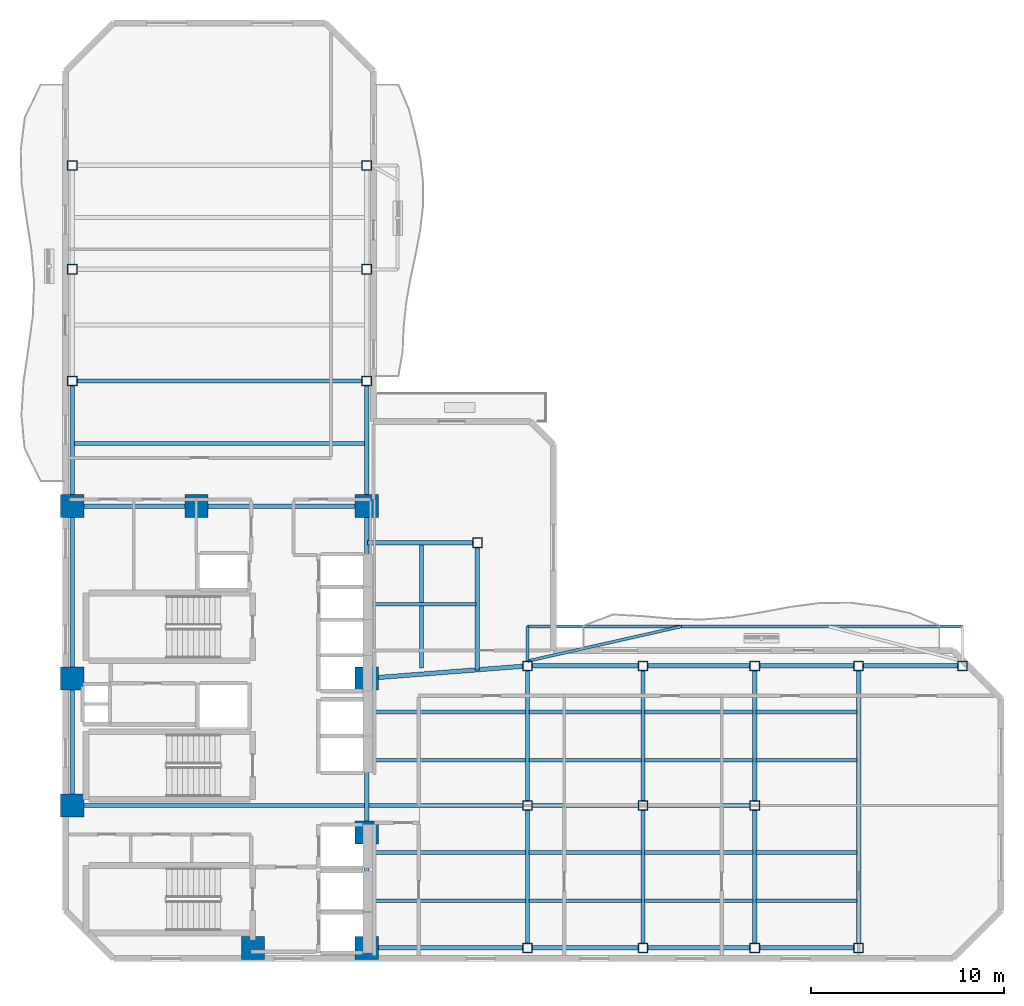
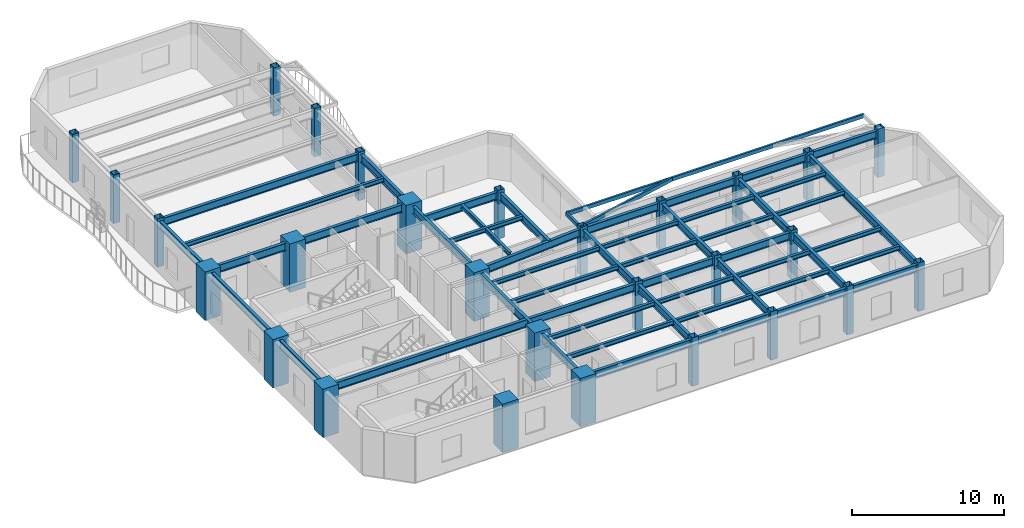
# One storey, part 1 of 10: 53 beams, 28 columns.
"""IFC4 building model written with IfcOpenShell, lengths in metres."""

import ifcopenshell
import ifcopenshell.guid

model = None  # the IFC model being written
_history = None  # IfcOwnerHistory: only IFC2X3 demands one
_inside = {}  # id of a spatial element -> (the spatial element, [elements in it])
_under = {}  # id of a project, library or spatial element -> (it, [spatial elements below it])
_declared = {}  # id of a project -> (the project, [libraries it declares])
_typed = {}  # id of a type object -> (the type object, [elements of that type])
_made_of = {}  # id of a material, layer set ... -> (it, [elements and type objects made of it])


def new_model(schema):
    """Start an empty IFC model of exactly this schema.

    Asked for "IFC4X3", IfcOpenShell would pick the latest addendum, in which some entities
    have other attributes; the version numbers below select the first issue.
    IFC2X3 requires an IfcOwnerHistory on every rooted entity: one is made here for all.
    """
    global model, _history
    if schema == "IFC4X3":
        model = ifcopenshell.file(schema_version=(4, 3, 0, 0))
    else:
        model = ifcopenshell.file(schema=schema)
    _inside.clear()
    _under.clear()
    _declared.clear()
    _typed.clear()
    _made_of.clear()
    _history = None
    if model.schema == "IFC2X3":
        org = make("IfcOrganization", Name="unknown")
        user = make(
            "IfcPersonAndOrganization",
            ThePerson=make("IfcPerson", FamilyName="unknown"),
            TheOrganization=org,
        )
        app = make(
            "IfcApplication",
            ApplicationDeveloper=org,
            Version="unknown",
            ApplicationFullName="unknown",
            ApplicationIdentifier="unknown",
        )
        _history = make(
            "IfcOwnerHistory",
            OwningUser=user,
            OwningApplication=app,
            ChangeAction="ADDED",
            CreationDate=0,
        )
    return model


def make(cls, **values):
    """One entity of the class cls with the attributes given. An attribute that is None is left unset."""
    return model.create_entity(
        cls, **{name: value for name, value in values.items() if value is not None}
    )


def rooted(cls, **values):
    """An entity with a GlobalId (a new one), such as an element, a storey or a relation."""
    return make(cls, GlobalId=ifcopenshell.guid.new(), OwnerHistory=_history, **values)


def si_unit(unit_type, name, prefix=None):
    """IfcSIUnit, for example si_unit("LENGTHUNIT", "METRE", prefix="MILLI")."""
    return make("IfcSIUnit", UnitType=unit_type, Prefix=prefix, Name=name)


def assignment(units):
    """IfcUnitAssignment: the units of a project."""
    return None if units is None else make("IfcUnitAssignment", Units=units)


def point(xyz):
    """IfcCartesianPoint."""
    return None if xyz is None else make("IfcCartesianPoint", Coordinates=xyz)


def direction(xyz):
    """IfcDirection."""
    return None if xyz is None else make("IfcDirection", DirectionRatios=xyz)


def frame(location, z_axis=None, x_axis=None):
    """IfcAxis2Placement3D, a coordinate frame: its origin and axes. An axis left out is left unset."""
    return make(
        "IfcAxis2Placement3D",
        Location=point(location),
        Axis=direction(z_axis),
        RefDirection=direction(x_axis),
    )


def frame_2d(location, x_axis=None):
    """IfcAxis2Placement2D, a coordinate frame in the plane: its origin and x axis."""
    return make(
        "IfcAxis2Placement2D", Location=point(location), RefDirection=direction(x_axis)
    )


def origin():
    """The frame at (0, 0, 0) with its axes left unset."""
    return frame((0.0, 0.0, 0.0))


def origin_2d():
    """The frame at (0, 0) in the plane with its x axis left unset."""
    return frame_2d((0.0, 0.0))


def place(relative_to, where):
    """IfcLocalPlacement: puts the frame where relative to a parent placement (None: the world)."""
    return make(
        "IfcLocalPlacement", PlacementRelTo=relative_to, RelativePlacement=where
    )


def context(
    kind, dimensions, precision=None, world=None, true_north=None, identifier=None
):
    """IfcGeometricRepresentationContext, for example the 3D "Model" context."""
    return make(
        "IfcGeometricRepresentationContext",
        ContextIdentifier=identifier,
        ContextType=kind,
        CoordinateSpaceDimension=dimensions,
        Precision=precision,
        WorldCoordinateSystem=world,
        TrueNorth=true_north,
    )


def subcontext(parent, identifier, kind, view, scale=None):
    """IfcGeometricRepresentationSubContext, for example "Body" below "Model"."""
    return make(
        "IfcGeometricRepresentationSubContext",
        ContextIdentifier=identifier,
        ContextType=kind,
        ParentContext=parent,
        TargetScale=scale,
        TargetView=view,
    )


def project(units=None, contexts=None):
    """IfcProject with its units and contexts."""
    return rooted(
        "IfcProject",
        Name="project",
        RepresentationContexts=contexts,
        UnitsInContext=assignment(units),
    )


def spatial(cls, under=None, at=None, **own):
    """A site, building, storey or space (cls), placed at a placement, below another one or the project."""
    s = rooted(cls, ObjectPlacement=at, **own)
    if under is not None:
        _under.setdefault(under.id(), (under, []))[1].append(s)
    return s


def profile(cls, at=None, kind="AREA", **sizes):
    """A parametric profile (cls). Its sizes go by their IFC names, for example OverallWidth=200.0."""
    return make(cls, ProfileType=kind, Position=at, **sizes)


def rectangle(**sizes):
    """IfcRectangleProfileDef."""
    return profile("IfcRectangleProfileDef", **sizes)


def hollow_rectangle(**sizes):
    """IfcRectangleHollowProfileDef."""
    return profile("IfcRectangleHollowProfileDef", **sizes)


def i_section(**sizes):
    """IfcIShapeProfileDef."""
    return profile("IfcIShapeProfileDef", **sizes)


def extrude(swept, where, along, depth):
    """IfcExtrudedAreaSolid: the profile swept, set in the frame where, extruded along a direction by depth."""
    return make(
        "IfcExtrudedAreaSolid",
        SweptArea=swept,
        Position=where,
        ExtrudedDirection=direction(along),
        Depth=depth,
    )


def shape(context_of_items, identifier, shape_type, items):
    """IfcShapeRepresentation: the items that make up one representation, for example the "Body"."""
    return make(
        "IfcShapeRepresentation",
        ContextOfItems=context_of_items,
        RepresentationIdentifier=identifier,
        RepresentationType=shape_type,
        Items=items,
    )


def material(Name=None, Category=None):
    """IfcMaterial."""
    return make("IfcMaterial", Name=Name, Category=Category)


def material_profile(
    of_material, cross_section, Name=None, Category=None, Priority=None
):
    """IfcMaterialProfile: a cross section and its material."""
    return make(
        "IfcMaterialProfile",
        Name=Name,
        Material=of_material,
        Profile=cross_section,
        Priority=Priority,
        Category=Category,
    )


def profile_set(profiles, Name=None, composite=None):
    """IfcMaterialProfileSet."""
    return make(
        "IfcMaterialProfileSet",
        Name=Name,
        MaterialProfiles=profiles,
        CompositeProfile=composite,
    )


def made_of(thing, what):
    """Note that an element or type object is made of a material, layer set ...; save() writes the relation."""
    if what is not None:
        _made_of.setdefault(what.id(), (what, []))[1].append(thing)
    return thing


def type_object(cls, material=None, **own):
    """A type object (cls), such as IfcWallType, which elements share."""
    return made_of(rooted(cls, **own), material)


def element(
    cls,
    number,
    at=None,
    inside=None,
    cuts=None,
    type_object=None,
    material=None,
    context=None,
    identifier="Body",
    shape_type=None,
    held_by="IfcProductDefinitionShape",
    body=None,
    shapes=None,
    **own,
):
    """One element of the class cls, such as IfcWall. Its Tag is "e" and its number.

    at: its placement. inside: the storey or other place that contains it. cuts: it is an
    opening in that element (IfcRelVoidsElement). A single representation is given by context,
    identifier, shape_type and body (its items); several are given by shapes. held_by: the class
    of the entity that holds the representations. save() writes the other relations.
    """
    e = rooted(cls, Tag="e%d" % number, ObjectPlacement=at, **own)
    if body is not None:
        shapes = [shape(context, identifier, shape_type, body)]
    if shapes is not None:
        e.Representation = make(held_by, Representations=shapes)
    if inside is not None:
        _inside.setdefault(inside.id(), (inside, []))[1].append(e)
    if cuts is not None:
        rooted(
            "IfcRelVoidsElement", RelatingBuildingElement=cuts, RelatedOpeningElement=e
        )
    if type_object is not None:
        _typed.setdefault(type_object.id(), (type_object, []))[1].append(e)
    return made_of(e, material)


def aggregate(whole, parts):
    """IfcRelAggregates: a whole, such as a stair, and the parts it consists of."""
    return rooted("IfcRelAggregates", RelatingObject=whole, RelatedObjects=parts)


def save(model, path):
    """Write the relations noted so far, then the file.

    IfcRelAggregates (storeys below a building ...), IfcRelContainedInSpatialStructure (elements
    in a storey), IfcRelDefinesByType, IfcRelAssociatesMaterial and IfcRelDeclares: one each for
    every whole, place, type object, material and project.
    """
    for whole, parts in _under.values():
        aggregate(whole, parts)
    for where, things in _inside.values():
        rooted(
            "IfcRelContainedInSpatialStructure",
            RelatedElements=things,
            RelatingStructure=where,
        )
    for kind, things in _typed.values():
        rooted("IfcRelDefinesByType", RelatedObjects=things, RelatingType=kind)
    for what, things in _made_of.values():
        rooted("IfcRelAssociatesMaterial", RelatedObjects=things, RelatingMaterial=what)
    for by, libraries in _declared.values():
        rooted("IfcRelDeclares", RelatingContext=by, RelatedDefinitions=libraries)
    model.write(path)


model = new_model("IFC4")

# Units and contexts
model_context = context("Model", 3, precision=1e-05, world=origin(), true_north=direction((0.0, 1.0)))
body_context = subcontext(model_context, "Body", "Model", "MODEL_VIEW")
ifc_project = project(units=[si_unit("LENGTHUNIT", "METRE"), si_unit("AREAUNIT", "SQUARE_METRE"), si_unit("VOLUMEUNIT", "CUBIC_METRE"), si_unit("PLANEANGLEUNIT", "RADIAN"), si_unit("MASSUNIT", "GRAM", prefix="KILO")], contexts=[model_context])

# Site, building, storey
site_placement = place(None, origin())
site = spatial("IfcSite", under=ifc_project, at=site_placement, CompositionType="ELEMENT")
building_placement = place(site_placement, origin())
building = spatial("IfcBuilding", under=site, at=building_placement, Name="Mawjaban Terraces University", CompositionType="ELEMENT")
storey_placement = place(building_placement, frame((0.0, 0.0, 122.89990234375)))
storey = spatial("IfcBuildingStorey", under=building, at=storey_placement, Name="L29", CompositionType="ELEMENT", Elevation=122.89990234375)

# Columns
ifc_material_1 = material(Name="Concrete C60/75", Category="concrete")
ifc_material_profile_1 = material_profile(ifc_material_1, rectangle(XDim=1.199951171875, YDim=1.199951171875, at=origin_2d()), Name="RC1200X1200")
ifc_profile_set_1 = profile_set([ifc_material_profile_1], Name="Concrete C60/75")
column_type_1 = type_object("IfcColumnType", Name="Col_RC1200X1200", PredefinedType="COLUMN", material=ifc_profile_set_1)
for number, where, z_axis, x_axis, name in (
    (1, (31.75, 0.550048828125, 0.0), (0.0, 0.0, 1.0), (1.0, 0.0, 0.0), "L29 Column CC2"),
    (2, (37.64990234375, 0.550048828125, 0.0), (0.0, 0.0, 1.0), (1.0, 0.0, 0.0), "L29 Column CC3"),
    (3, (22.35009765625, 7.949951171875, 0.0), (0.0, 0.0, 1.0), (1.0, 0.0, 0.0), "L29 Column CC4"),
    (4, (37.64990234375, 6.550048828125, 0.0), (0.0, 0.0, 1.0), (1.0, 0.0, 0.0), "L29 Column CC5"),
    (5, (22.35009765625, 14.550048828125, 0.0), (0.0, 0.0, 1.0), (1.0, 0.0, 0.0), "L29 Column CC6"),
    (6, (37.64990234375, 14.550048828125, 0.0), (0.0, 0.0, 1.0), (1.0, 0.0, 0.0), "L29 Column CC7"),
    (7, (22.35009765625, 23.5, 0.0), (0.0, 0.0, 1.0), (1.0, 0.0, 0.0), "L29 Column CC8"),
    (8, (28.800048828125, 23.5, 0.0), (0.0, 0.0, 1.0), (1.0, 0.0, 0.0), "L29 Column CC9"),
    (9, (37.64990234375, 23.5, 0.0), (0.0, 0.0, 1.0), (1.0, 0.0, 0.0), "L29 Column CC10"),
):
    element("IfcColumn", number, at=place(storey_placement, frame(where, z_axis=z_axis, x_axis=x_axis)), inside=storey, type_object=column_type_1, Name=name, PredefinedType="COLUMN", context=body_context, shape_type="SweptSolid", body=[
        extrude(rectangle(XDim=1.199951171875, YDim=1.199951171875, at=origin_2d()), origin(), (0.0, 0.0, 1.0), 3.900146484375),
    ])
ifc_material_2 = material(Name="Steel EN 10210-1 S355J2H", Category="steel")
ifc_material_profile_2 = material_profile(ifc_material_2, hollow_rectangle(XDim=0.5, YDim=0.5, WallThickness=0.02490234375, at=origin_2d()), Name="SHS500X500X25")
ifc_profile_set_2 = profile_set([ifc_material_profile_2], Name="Steel EN 10210-1 S355J2H")
column_type_2 = type_object("IfcColumnType", Name="Col_SHS500X500X25", PredefinedType="COLUMN", material=ifc_profile_set_2)
for number, where, z_axis, x_axis, name in (
    (10, (46.0, 0.550048828125, 0.0), (0.0, 0.0, 1.0), (1.0, 0.0, 0.0), "L29 Column TE-460-005"),
    (11, (46.0, 7.949951171875, 0.0), (0.0, 0.0, 1.0), (1.0, 0.0, 0.0), "L29 Column TE-460-080"),
    (12, (46.0, 15.199951171875, 0.0), (0.0, 0.0, 1.0), (1.0, 0.0, 0.0), "L29 Column TE-460-152"),
    (13, (52.0, 0.550048828125, 0.0), (0.0, 0.0, 1.0), (1.0, 0.0, 0.0), "L29 Column TE-520-005"),
    (14, (52.0, 7.949951171875, 0.0), (0.0, 0.0, 1.0), (1.0, 0.0, 0.0), "L29 Column TE-520-080"),
    (15, (52.0, 15.199951171875, 0.0), (0.0, 0.0, 1.0), (1.0, 0.0, 0.0), "L29 Column TE-520-152"),
    (16, (57.800048828125, 0.550048828125, 0.0), (0.0, 0.0, 1.0), (1.0, 0.0, 0.0), "L29 Column TE-578-005"),
    (17, (57.800048828125, 7.949951171875, 0.0), (0.0, 0.0, 1.0), (1.0, 0.0, 0.0), "L29 Column TE-578-080"),
    (18, (57.800048828125, 15.199951171875, 0.0), (0.0, 0.0, 1.0), (1.0, 0.0, 0.0), "L29 Column TE-578-152"),
    (19, (63.199951171875, 0.550048828125, 0.0), (0.0, 0.0, 1.0), (1.0, 0.0, 0.0), "L29 Column TE-632-005"),
    (20, (63.199951171875, 15.199951171875, 0.0), (0.0, 0.0, 1.0), (1.0, 0.0, 0.0), "L29 Column TE-632-152"),
    (21, (68.60009765625, 15.199951171875, 0.0), (0.0, 0.0, 1.0), (1.0, 0.0, 0.0), "L29 Column TE-686-152"),
    (22, (22.35009765625, 30.0, 0.0), (0.0, 0.0, 1.0), (1.0, 0.0, 0.0), "L29 Column TN-223-300"),
    (23, (37.64990234375, 30.0, 0.0), (0.0, 0.0, 1.0), (1.0, 0.0, 0.0), "L29 Column TN-376-300"),
    (24, (22.35009765625, 35.800048828125, 0.0), (0.0, 0.0, 1.0), (1.0, 0.0, 0.0), "L29 Column TN-223-358"),
    (25, (37.64990234375, 35.800048828125, 0.0), (0.0, 0.0, 1.0), (1.0, 0.0, 0.0), "L29 Column TN-376-358"),
    (26, (22.35009765625, 41.199951171875, 0.0), (0.0, 0.0, 1.0), (1.0, 0.0, 0.0), "L29 Column TN-223-412"),
    (27, (37.64990234375, 41.199951171875, 0.0), (0.0, 0.0, 1.0), (1.0, 0.0, 0.0), "L29 Column TN-376-412"),
    (28, (43.39990234375, 21.60009765625, 0.0), (0.0, 0.0, 1.0), (1.0, 0.0, 0.0), "L29 Column TS-434-216"),
):
    element("IfcColumn", number, at=place(storey_placement, frame(where, z_axis=z_axis, x_axis=x_axis)), inside=storey, type_object=column_type_2, Name=name, PredefinedType="COLUMN", context=body_context, shape_type="SweptSolid", body=[
        extrude(hollow_rectangle(XDim=0.5, YDim=0.5, WallThickness=0.02490234375, at=origin_2d()), origin(), (0.0, 0.0, 1.0), 3.900146484375),
    ])

# Beams
ifc_material_profile_3 = material_profile(ifc_material_2, hollow_rectangle(XDim=0.14990234375, YDim=0.300048828125, WallThickness=0.012451171875, at=origin_2d()), Name="RHS300X150X12.5")
ifc_profile_set_3 = profile_set([ifc_material_profile_3], Name="Steel EN 10210-1 S355J2H")
beam_type_1 = type_object("IfcBeamType", Name="BalconyCantileverSpandrel_RHS", PredefinedType="SPANDREL", material=ifc_profile_set_3)
beam_1_placement = place(storey_placement, frame((46.0, 15.449951171875, 3.5400390625), z_axis=(0.0, 1.0, 0.0), x_axis=(-1.0, 0.0, 0.0)))
element("IfcBeam", 29, at=beam_1_placement, inside=storey, type_object=beam_type_1, Name="L29 Exterior Outrigger BAL-L30-N.1", PredefinedType="SPANDREL", context=body_context, shape_type="SweptSolid", body=[
    extrude(hollow_rectangle(XDim=0.14990234375, YDim=0.300048828125, WallThickness=0.012451171875, at=origin_2d()), origin(), (0.0, 0.0, 1.0), 1.800048828125),
])
beam_2_placement = place(storey_placement, frame((46.0, 17.25, 3.5400390625), z_axis=(1.0, 0.0, 0.0), x_axis=(0.0, 1.0, 0.0)))
element("IfcBeam", 30, at=beam_2_placement, inside=storey, type_object=beam_type_1, Name="L29 Exterior Edge Spandrel BAL-L30-N", PredefinedType="SPANDREL", context=body_context, shape_type="SweptSolid", body=[
    extrude(hollow_rectangle(XDim=0.14990234375, YDim=0.300048828125, WallThickness=0.012451171875, at=origin_2d()), origin(), (0.0, 0.0, 1.0), 22.60009765625),
])
beam_3_placement = place(storey_placement, frame((46.0, 15.449951171875, 3.5400390625), z_axis=(0.975585509407, 0.219619930412, 0.0), x_axis=(-0.219619930412, 0.975585509407, 0.0)))
element("IfcBeam", 31, at=beam_3_placement, inside=storey, type_object=beam_type_1, Name="L29 Exterior Diagonal Strut BAL-L30-N.1", PredefinedType="SPANDREL", context=body_context, shape_type="SweptSolid", body=[
    extrude(hollow_rectangle(XDim=0.14990234375, YDim=0.300048828125, WallThickness=0.012451171875, at=origin_2d()), origin(), (0.0, 0.0, 1.0), 8.1962890625),
])
ifc_material_3 = material(Name="Steel ASTM A572 Grade 50", Category="steel")
ifc_material_profile_4 = material_profile(ifc_material_3, i_section(OverallWidth=0.22998046875, OverallDepth=0.616943359375, WebThickness=0.01318359375, FlangeThickness=0.022216796875, at=origin_2d()), Name="W610X140")
ifc_profile_set_4 = profile_set([ifc_material_profile_4], Name="Steel ASTM A572 Grade 50")
beam_type_2 = type_object("IfcBeamType", Name="Beam_B_W610X140", PredefinedType="BEAM", material=ifc_profile_set_4)
beam_4_placement = place(storey_placement, frame((38.25, 0.550048828125, 3.382080078125), z_axis=(1.0, 0.0, 0.0), x_axis=(0.0, 1.0, 0.0)))
element("IfcBeam", 32, at=beam_4_placement, inside=storey, type_object=beam_type_2, Name="L29 Beam BM-L29-EW-01", PredefinedType="BEAM", context=body_context, shape_type="SweptSolid", body=[
    extrude(i_section(OverallWidth=0.22998046875, OverallDepth=0.616943359375, WebThickness=0.01318359375, FlangeThickness=0.022216796875, at=origin_2d()), origin(), (0.0, 0.0, 1.0), 7.5),
])
beam_5_placement = place(storey_placement, frame((46.25, 0.550048828125, 3.382080078125), z_axis=(1.0, 0.0, 0.0), x_axis=(0.0, 1.0, 0.0)))
element("IfcBeam", 33, at=beam_5_placement, inside=storey, type_object=beam_type_2, Name="L29 Beam BM-L29-EW-02", PredefinedType="BEAM", context=body_context, shape_type="SweptSolid", body=[
    extrude(i_section(OverallWidth=0.22998046875, OverallDepth=0.616943359375, WebThickness=0.01318359375, FlangeThickness=0.022216796875, at=origin_2d()), origin(), (0.0, 0.0, 1.0), 5.5),
])
beam_6_placement = place(storey_placement, frame((52.25, 0.550048828125, 3.382080078125), z_axis=(1.0, 0.0, 0.0), x_axis=(0.0, 1.0, 0.0)))
element("IfcBeam", 34, at=beam_6_placement, inside=storey, type_object=beam_type_2, Name="L29 Beam BM-L29-EW-03", PredefinedType="BEAM", context=body_context, shape_type="SweptSolid", body=[
    extrude(i_section(OverallWidth=0.22998046875, OverallDepth=0.616943359375, WebThickness=0.01318359375, FlangeThickness=0.022216796875, at=origin_2d()), origin(), (0.0, 0.0, 1.0), 5.300048828125),
])
beam_7_placement = place(storey_placement, frame((58.050048828125, 0.550048828125, 3.382080078125), z_axis=(1.0, 0.0, 0.0), x_axis=(0.0, 1.0, 0.0)))
element("IfcBeam", 35, at=beam_7_placement, inside=storey, type_object=beam_type_2, Name="L29 Beam BM-L29-EW-04", PredefinedType="BEAM", context=body_context, shape_type="SweptSolid", body=[
    extrude(i_section(OverallWidth=0.22998046875, OverallDepth=0.616943359375, WebThickness=0.01318359375, FlangeThickness=0.022216796875, at=origin_2d()), origin(), (0.0, 0.0, 1.0), 4.89990234375),
])
beam_8_placement = place(storey_placement, frame((22.949951171875, 7.949951171875, 3.382080078125), z_axis=(1.0, 0.0, 0.0), x_axis=(0.0, 1.0, 0.0)))
element("IfcBeam", 36, at=beam_8_placement, inside=storey, type_object=beam_type_2, Name="L29 Beam BM-L29-EW-05", PredefinedType="BEAM", context=body_context, shape_type="SweptSolid", body=[
    extrude(i_section(OverallWidth=0.22998046875, OverallDepth=0.616943359375, WebThickness=0.01318359375, FlangeThickness=0.022216796875, at=origin_2d()), origin(), (0.0, 0.0, 1.0), 22.800048828125),
])
beam_9_placement = place(storey_placement, frame((46.25, 7.949951171875, 3.382080078125), z_axis=(1.0, 0.0, 0.0), x_axis=(0.0, 1.0, 0.0)))
element("IfcBeam", 37, at=beam_9_placement, inside=storey, type_object=beam_type_2, Name="L29 Beam BM-L29-EW-06", PredefinedType="BEAM", context=body_context, shape_type="SweptSolid", body=[
    extrude(i_section(OverallWidth=0.22998046875, OverallDepth=0.616943359375, WebThickness=0.01318359375, FlangeThickness=0.022216796875, at=origin_2d()), origin(), (0.0, 0.0, 1.0), 5.5),
])
beam_10_placement = place(storey_placement, frame((52.25, 7.949951171875, 3.382080078125), z_axis=(1.0, 0.0, 0.0), x_axis=(0.0, 1.0, 0.0)))
element("IfcBeam", 38, at=beam_10_placement, inside=storey, type_object=beam_type_2, Name="L29 Beam BM-L29-EW-07", PredefinedType="BEAM", context=body_context, shape_type="SweptSolid", body=[
    extrude(i_section(OverallWidth=0.22998046875, OverallDepth=0.616943359375, WebThickness=0.01318359375, FlangeThickness=0.022216796875, at=origin_2d()), origin(), (0.0, 0.0, 1.0), 5.300048828125),
])
beam_11_placement = place(storey_placement, frame((46.25, 15.199951171875, 3.382080078125), z_axis=(1.0, 0.0, 0.0), x_axis=(0.0, 1.0, 0.0)))
element("IfcBeam", 39, at=beam_11_placement, inside=storey, type_object=beam_type_2, Name="L29 Beam BM-L29-EW-08", PredefinedType="BEAM", context=body_context, shape_type="SweptSolid", body=[
    extrude(i_section(OverallWidth=0.22998046875, OverallDepth=0.616943359375, WebThickness=0.01318359375, FlangeThickness=0.022216796875, at=origin_2d()), origin(), (0.0, 0.0, 1.0), 5.5),
])
beam_12_placement = place(storey_placement, frame((52.25, 15.199951171875, 3.382080078125), z_axis=(1.0, 0.0, 0.0), x_axis=(0.0, 1.0, 0.0)))
element("IfcBeam", 40, at=beam_12_placement, inside=storey, type_object=beam_type_2, Name="L29 Beam BM-L29-EW-09", PredefinedType="BEAM", context=body_context, shape_type="SweptSolid", body=[
    extrude(i_section(OverallWidth=0.22998046875, OverallDepth=0.616943359375, WebThickness=0.01318359375, FlangeThickness=0.022216796875, at=origin_2d()), origin(), (0.0, 0.0, 1.0), 5.300048828125),
])
beam_13_placement = place(storey_placement, frame((58.050048828125, 15.199951171875, 3.382080078125), z_axis=(1.0, 0.0, 0.0), x_axis=(0.0, 1.0, 0.0)))
element("IfcBeam", 41, at=beam_13_placement, inside=storey, type_object=beam_type_2, Name="L29 Beam BM-L29-EW-10", PredefinedType="BEAM", context=body_context, shape_type="SweptSolid", body=[
    extrude(i_section(OverallWidth=0.22998046875, OverallDepth=0.616943359375, WebThickness=0.01318359375, FlangeThickness=0.022216796875, at=origin_2d()), origin(), (0.0, 0.0, 1.0), 4.89990234375),
])
beam_14_placement = place(storey_placement, frame((63.449951171875, 15.199951171875, 3.382080078125), z_axis=(1.0, 0.0, 0.0), x_axis=(0.0, 1.0, 0.0)))
element("IfcBeam", 42, at=beam_14_placement, inside=storey, type_object=beam_type_2, Name="L29 Beam BM-L29-EW-11", PredefinedType="BEAM", context=body_context, shape_type="SweptSolid", body=[
    extrude(i_section(OverallWidth=0.22998046875, OverallDepth=0.616943359375, WebThickness=0.01318359375, FlangeThickness=0.022216796875, at=origin_2d()), origin(), (0.0, 0.0, 1.0), 4.900146484375),
])
beam_15_placement = place(storey_placement, frame((22.949951171875, 23.5, 3.382080078125), z_axis=(1.0, 0.0, 0.0), x_axis=(0.0, 1.0, 0.0)))
element("IfcBeam", 43, at=beam_15_placement, inside=storey, type_object=beam_type_2, Name="L29 Beam BM-L29-EW-12", PredefinedType="BEAM", context=body_context, shape_type="SweptSolid", body=[
    extrude(i_section(OverallWidth=0.22998046875, OverallDepth=0.616943359375, WebThickness=0.01318359375, FlangeThickness=0.022216796875, at=origin_2d()), origin(), (0.0, 0.0, 1.0), 5.25),
])
beam_16_placement = place(storey_placement, frame((29.39990234375, 23.5, 3.382080078125), z_axis=(1.0, 0.0, 0.0), x_axis=(0.0, 1.0, 0.0)))
element("IfcBeam", 44, at=beam_16_placement, inside=storey, type_object=beam_type_2, Name="L29 Beam BM-L29-EW-13", PredefinedType="BEAM", context=body_context, shape_type="SweptSolid", body=[
    extrude(i_section(OverallWidth=0.22998046875, OverallDepth=0.616943359375, WebThickness=0.01318359375, FlangeThickness=0.022216796875, at=origin_2d()), origin(), (0.0, 0.0, 1.0), 7.650146484375),
])
beam_17_placement = place(storey_placement, frame((22.60009765625, 30.0, 3.382080078125), z_axis=(1.0, 0.0, 0.0), x_axis=(0.0, 1.0, 0.0)))
element("IfcBeam", 45, at=beam_17_placement, inside=storey, type_object=beam_type_2, Name="L29 Beam BM-L29-EW-14", PredefinedType="BEAM", context=body_context, shape_type="SweptSolid", body=[
    extrude(i_section(OverallWidth=0.22998046875, OverallDepth=0.616943359375, WebThickness=0.01318359375, FlangeThickness=0.022216796875, at=origin_2d()), origin(), (0.0, 0.0, 1.0), 14.7998046875),
])
beam_18_placement = place(storey_placement, frame((22.35009765625, 8.550048828125, 3.382080078125), z_axis=(0.0, 1.0, 0.0), x_axis=(-1.0, 0.0, 0.0)))
element("IfcBeam", 46, at=beam_18_placement, inside=storey, type_object=beam_type_2, Name="L29 Beam BM-L29-NS-01", PredefinedType="BEAM", context=body_context, shape_type="SweptSolid", body=[
    extrude(i_section(OverallWidth=0.22998046875, OverallDepth=0.616943359375, WebThickness=0.01318359375, FlangeThickness=0.022216796875, at=origin_2d()), origin(), (0.0, 0.0, 1.0), 5.39990234375),
])
beam_19_placement = place(storey_placement, frame((22.35009765625, 15.14990234375, 3.382080078125), z_axis=(0.0, 1.0, 0.0), x_axis=(-1.0, 0.0, 0.0)))
element("IfcBeam", 47, at=beam_19_placement, inside=storey, type_object=beam_type_2, Name="L29 Beam BM-L29-NS-02", PredefinedType="BEAM", context=body_context, shape_type="SweptSolid", body=[
    extrude(i_section(OverallWidth=0.22998046875, OverallDepth=0.616943359375, WebThickness=0.01318359375, FlangeThickness=0.022216796875, at=origin_2d()), origin(), (0.0, 0.0, 1.0), 7.75),
])
beam_20_placement = place(storey_placement, frame((22.35009765625, 24.10009765625, 3.382080078125), z_axis=(0.0, 1.0, 0.0), x_axis=(-1.0, 0.0, 0.0)))
element("IfcBeam", 48, at=beam_20_placement, inside=storey, type_object=beam_type_2, Name="L29 Beam BM-L29-NS-03", PredefinedType="BEAM", context=body_context, shape_type="SweptSolid", body=[
    extrude(i_section(OverallWidth=0.22998046875, OverallDepth=0.616943359375, WebThickness=0.01318359375, FlangeThickness=0.022216796875, at=origin_2d()), origin(), (0.0, 0.0, 1.0), 5.64990234375),
])
beam_21_placement = place(storey_placement, frame((37.64990234375, 1.14990234375, 3.382080078125), z_axis=(0.0, 1.0, 0.0), x_axis=(-1.0, 0.0, 0.0)))
element("IfcBeam", 49, at=beam_21_placement, inside=storey, type_object=beam_type_2, Name="L29 Beam BM-L29-NS-06", PredefinedType="BEAM", context=body_context, shape_type="SweptSolid", body=[
    extrude(i_section(OverallWidth=0.22998046875, OverallDepth=0.616943359375, WebThickness=0.01318359375, FlangeThickness=0.022216796875, at=origin_2d()), origin(), (0.0, 0.0, 1.0), 4.800048828125),
])
beam_22_placement = place(storey_placement, frame((37.64990234375, 7.14990234375, 3.382080078125), z_axis=(0.0, 1.0, 0.0), x_axis=(-1.0, 0.0, 0.0)))
element("IfcBeam", 50, at=beam_22_placement, inside=storey, type_object=beam_type_2, Name="L29 Beam BM-L29-NS-07", PredefinedType="BEAM", context=body_context, shape_type="SweptSolid", body=[
    extrude(i_section(OverallWidth=0.22998046875, OverallDepth=0.616943359375, WebThickness=0.01318359375, FlangeThickness=0.022216796875, at=origin_2d()), origin(), (0.0, 0.0, 1.0), 6.800048828125),
])
beam_23_placement = place(storey_placement, frame((37.64990234375, 15.14990234375, 3.382080078125), z_axis=(0.0, 1.0, 0.0), x_axis=(-1.0, 0.0, 0.0)))
element("IfcBeam", 51, at=beam_23_placement, inside=storey, type_object=beam_type_2, Name="L29 Beam BM-L29-NS-08", PredefinedType="BEAM", context=body_context, shape_type="SweptSolid", body=[
    extrude(i_section(OverallWidth=0.22998046875, OverallDepth=0.616943359375, WebThickness=0.01318359375, FlangeThickness=0.022216796875, at=origin_2d()), origin(), (0.0, 0.0, 1.0), 7.75),
])
beam_24_placement = place(storey_placement, frame((37.64990234375, 24.10009765625, 3.382080078125), z_axis=(0.0, 1.0, 0.0), x_axis=(-1.0, 0.0, 0.0)))
element("IfcBeam", 52, at=beam_24_placement, inside=storey, type_object=beam_type_2, Name="L29 Beam BM-L29-NS-09", PredefinedType="BEAM", context=body_context, shape_type="SweptSolid", body=[
    extrude(i_section(OverallWidth=0.22998046875, OverallDepth=0.616943359375, WebThickness=0.01318359375, FlangeThickness=0.022216796875, at=origin_2d()), origin(), (0.0, 0.0, 1.0), 5.64990234375),
])
beam_25_placement = place(storey_placement, frame((46.0, 0.800048828125, 3.382080078125), z_axis=(0.0, 1.0, 0.0), x_axis=(-1.0, 0.0, 0.0)))
element("IfcBeam", 53, at=beam_25_placement, inside=storey, type_object=beam_type_2, Name="L29 Beam BM-L29-NS-12", PredefinedType="BEAM", context=body_context, shape_type="SweptSolid", body=[
    extrude(i_section(OverallWidth=0.22998046875, OverallDepth=0.616943359375, WebThickness=0.01318359375, FlangeThickness=0.022216796875, at=origin_2d()), origin(), (0.0, 0.0, 1.0), 6.89990234375),
])
beam_26_placement = place(storey_placement, frame((46.0, 8.199951171875, 3.382080078125), z_axis=(0.0, 1.0, 0.0), x_axis=(-1.0, 0.0, 0.0)))
element("IfcBeam", 54, at=beam_26_placement, inside=storey, type_object=beam_type_2, Name="L29 Beam BM-L29-NS-13", PredefinedType="BEAM", context=body_context, shape_type="SweptSolid", body=[
    extrude(i_section(OverallWidth=0.22998046875, OverallDepth=0.616943359375, WebThickness=0.01318359375, FlangeThickness=0.022216796875, at=origin_2d()), origin(), (0.0, 0.0, 1.0), 6.75),
])
beam_27_placement = place(storey_placement, frame((52.0, 0.800048828125, 3.382080078125), z_axis=(0.0, 1.0, 0.0), x_axis=(-1.0, 0.0, 0.0)))
element("IfcBeam", 55, at=beam_27_placement, inside=storey, type_object=beam_type_2, Name="L29 Beam BM-L29-NS-14", PredefinedType="BEAM", context=body_context, shape_type="SweptSolid", body=[
    extrude(i_section(OverallWidth=0.22998046875, OverallDepth=0.616943359375, WebThickness=0.01318359375, FlangeThickness=0.022216796875, at=origin_2d()), origin(), (0.0, 0.0, 1.0), 6.89990234375),
])
beam_28_placement = place(storey_placement, frame((52.0, 8.199951171875, 3.382080078125), z_axis=(0.0, 1.0, 0.0), x_axis=(-1.0, 0.0, 0.0)))
element("IfcBeam", 56, at=beam_28_placement, inside=storey, type_object=beam_type_2, Name="L29 Beam BM-L29-NS-15", PredefinedType="BEAM", context=body_context, shape_type="SweptSolid", body=[
    extrude(i_section(OverallWidth=0.22998046875, OverallDepth=0.616943359375, WebThickness=0.01318359375, FlangeThickness=0.022216796875, at=origin_2d()), origin(), (0.0, 0.0, 1.0), 6.75),
])
beam_29_placement = place(storey_placement, frame((57.800048828125, 0.800048828125, 3.382080078125), z_axis=(0.0, 1.0, 0.0), x_axis=(-1.0, 0.0, 0.0)))
element("IfcBeam", 57, at=beam_29_placement, inside=storey, type_object=beam_type_2, Name="L29 Beam BM-L29-NS-16", PredefinedType="BEAM", context=body_context, shape_type="SweptSolid", body=[
    extrude(i_section(OverallWidth=0.22998046875, OverallDepth=0.616943359375, WebThickness=0.01318359375, FlangeThickness=0.022216796875, at=origin_2d()), origin(), (0.0, 0.0, 1.0), 6.89990234375),
])
beam_30_placement = place(storey_placement, frame((57.800048828125, 8.199951171875, 3.382080078125), z_axis=(0.0, 1.0, 0.0), x_axis=(-1.0, 0.0, 0.0)))
element("IfcBeam", 58, at=beam_30_placement, inside=storey, type_object=beam_type_2, Name="L29 Beam BM-L29-NS-17", PredefinedType="BEAM", context=body_context, shape_type="SweptSolid", body=[
    extrude(i_section(OverallWidth=0.22998046875, OverallDepth=0.616943359375, WebThickness=0.01318359375, FlangeThickness=0.022216796875, at=origin_2d()), origin(), (0.0, 0.0, 1.0), 6.75),
])
beam_31_placement = place(storey_placement, frame((63.199951171875, 0.800048828125, 3.382080078125), z_axis=(0.0, 1.0, 0.0), x_axis=(-1.0, 0.0, 0.0)))
element("IfcBeam", 59, at=beam_31_placement, inside=storey, type_object=beam_type_2, Name="L29 Beam BM-L29-NS-18", PredefinedType="BEAM", context=body_context, shape_type="SweptSolid", body=[
    extrude(i_section(OverallWidth=0.22998046875, OverallDepth=0.616943359375, WebThickness=0.01318359375, FlangeThickness=0.022216796875, at=origin_2d()), origin(), (0.0, 0.0, 1.0), 14.14990234375),
])
beam_32_placement = place(storey_placement, frame((38.248046875, 14.596923828125, 3.382080078125), z_axis=(0.996984614132, 0.077599479273, 0.0), x_axis=(-0.077599479273, 0.996984614132, 0.0)))
element("IfcBeam", 60, at=beam_32_placement, inside=storey, type_object=beam_type_2, Name="L29 Beam BM-L29-CTIE", PredefinedType="BEAM", context=body_context, shape_type="SweptSolid", body=[
    extrude(i_section(OverallWidth=0.22998046875, OverallDepth=0.616943359375, WebThickness=0.01318359375, FlangeThickness=0.022216796875, at=origin_2d()), origin(), (0.0, 0.0, 1.0), 7.525634765625),
])
beam_33_placement = place(storey_placement, frame((37.679931640625, 21.60009765625, 3.382080078125), z_axis=(1.0, 0.0, 0.0), x_axis=(0.0, 1.0, 0.0)))
element("IfcBeam", 61, at=beam_33_placement, inside=storey, type_object=beam_type_2, Name="L29 Spur Tie Girder West", PredefinedType="BEAM", context=body_context, shape_type="SweptSolid", body=[
    extrude(i_section(OverallWidth=0.22998046875, OverallDepth=0.616943359375, WebThickness=0.01318359375, FlangeThickness=0.022216796875, at=origin_2d()), origin(), (0.0, 0.0, 1.0), 5.469970703125),
])
beam_34_placement = place(storey_placement, frame((43.39990234375, 15.0, 3.382080078125), z_axis=(0.0, 1.0, 0.0), x_axis=(-1.0, 0.0, 0.0)))
element("IfcBeam", 62, at=beam_34_placement, inside=storey, type_object=beam_type_2, Name="L29 Spur Tie Girder South", PredefinedType="BEAM", context=body_context, shape_type="SweptSolid", body=[
    extrude(i_section(OverallWidth=0.22998046875, OverallDepth=0.616943359375, WebThickness=0.01318359375, FlangeThickness=0.022216796875, at=origin_2d()), origin(), (0.0, 0.0, 1.0), 6.35009765625),
])
ifc_material_profile_5 = material_profile(ifc_material_3, i_section(OverallWidth=0.202880859375, OverallDepth=0.346923828125, WebThickness=0.0078125, FlangeThickness=0.013427734375, at=origin_2d()), Name="W360X64")
ifc_profile_set_5 = profile_set([ifc_material_profile_5], Name="Steel ASTM A572 Grade 50")
beam_type_3 = type_object("IfcBeamType", Name="Beam_J_W360X64", PredefinedType="JOIST", material=ifc_profile_set_5)
beam_35_placement = place(storey_placement, frame((37.72998046875, 3.0, 3.51611328125), z_axis=(1.0, 0.0, 0.0), x_axis=(0.0, 1.0, 0.0)))
element("IfcBeam", 63, at=beam_35_placement, inside=storey, type_object=beam_type_3, Name="L29 Composite Joist JST-L29-01", PredefinedType="JOIST", context=body_context, shape_type="SweptSolid", body=[
    extrude(i_section(OverallWidth=0.202880859375, OverallDepth=0.346923828125, WebThickness=0.0078125, FlangeThickness=0.013427734375, at=origin_2d()), origin(), (0.0, 0.0, 1.0), 8.18994140625),
])
beam_36_placement = place(storey_placement, frame((46.080078125, 3.0, 3.51611328125), z_axis=(1.0, 0.0, 0.0), x_axis=(0.0, 1.0, 0.0)))
element("IfcBeam", 64, at=beam_36_placement, inside=storey, type_object=beam_type_3, Name="L29 Composite Joist JST-L29-02", PredefinedType="JOIST", context=body_context, shape_type="SweptSolid", body=[
    extrude(i_section(OverallWidth=0.202880859375, OverallDepth=0.346923828125, WebThickness=0.0078125, FlangeThickness=0.013427734375, at=origin_2d()), origin(), (0.0, 0.0, 1.0), 5.83984375),
])
beam_37_placement = place(storey_placement, frame((52.080078125, 3.0, 3.51611328125), z_axis=(1.0, 0.0, 0.0), x_axis=(0.0, 1.0, 0.0)))
element("IfcBeam", 65, at=beam_37_placement, inside=storey, type_object=beam_type_3, Name="L29 Composite Joist JST-L29-03", PredefinedType="JOIST", context=body_context, shape_type="SweptSolid", body=[
    extrude(i_section(OverallWidth=0.202880859375, OverallDepth=0.346923828125, WebThickness=0.0078125, FlangeThickness=0.013427734375, at=origin_2d()), origin(), (0.0, 0.0, 1.0), 5.639892578125),
])
beam_38_placement = place(storey_placement, frame((57.8798828125, 3.0, 3.51611328125), z_axis=(1.0, 0.0, 0.0), x_axis=(0.0, 1.0, 0.0)))
element("IfcBeam", 66, at=beam_38_placement, inside=storey, type_object=beam_type_3, Name="L29 Composite Joist JST-L29-04", PredefinedType="JOIST", context=body_context, shape_type="SweptSolid", body=[
    extrude(i_section(OverallWidth=0.202880859375, OverallDepth=0.346923828125, WebThickness=0.0078125, FlangeThickness=0.013427734375, at=origin_2d()), origin(), (0.0, 0.0, 1.0), 5.240234375),
])
beam_39_placement = place(storey_placement, frame((37.72998046875, 5.5, 3.51611328125), z_axis=(1.0, 0.0, 0.0), x_axis=(0.0, 1.0, 0.0)))
element("IfcBeam", 67, at=beam_39_placement, inside=storey, type_object=beam_type_3, Name="L29 Composite Joist JST-L29-05", PredefinedType="JOIST", context=body_context, shape_type="SweptSolid", body=[
    extrude(i_section(OverallWidth=0.202880859375, OverallDepth=0.346923828125, WebThickness=0.0078125, FlangeThickness=0.013427734375, at=origin_2d()), origin(), (0.0, 0.0, 1.0), 8.18994140625),
])
beam_40_placement = place(storey_placement, frame((46.080078125, 5.5, 3.51611328125), z_axis=(1.0, 0.0, 0.0), x_axis=(0.0, 1.0, 0.0)))
element("IfcBeam", 68, at=beam_40_placement, inside=storey, type_object=beam_type_3, Name="L29 Composite Joist JST-L29-06", PredefinedType="JOIST", context=body_context, shape_type="SweptSolid", body=[
    extrude(i_section(OverallWidth=0.202880859375, OverallDepth=0.346923828125, WebThickness=0.0078125, FlangeThickness=0.013427734375, at=origin_2d()), origin(), (0.0, 0.0, 1.0), 5.83984375),
])
beam_41_placement = place(storey_placement, frame((52.080078125, 5.5, 3.51611328125), z_axis=(1.0, 0.0, 0.0), x_axis=(0.0, 1.0, 0.0)))
element("IfcBeam", 69, at=beam_41_placement, inside=storey, type_object=beam_type_3, Name="L29 Composite Joist JST-L29-07", PredefinedType="JOIST", context=body_context, shape_type="SweptSolid", body=[
    extrude(i_section(OverallWidth=0.202880859375, OverallDepth=0.346923828125, WebThickness=0.0078125, FlangeThickness=0.013427734375, at=origin_2d()), origin(), (0.0, 0.0, 1.0), 5.639892578125),
])
beam_42_placement = place(storey_placement, frame((57.8798828125, 5.5, 3.51611328125), z_axis=(1.0, 0.0, 0.0), x_axis=(0.0, 1.0, 0.0)))
element("IfcBeam", 70, at=beam_42_placement, inside=storey, type_object=beam_type_3, Name="L29 Composite Joist JST-L29-08", PredefinedType="JOIST", context=body_context, shape_type="SweptSolid", body=[
    extrude(i_section(OverallWidth=0.202880859375, OverallDepth=0.346923828125, WebThickness=0.0078125, FlangeThickness=0.013427734375, at=origin_2d()), origin(), (0.0, 0.0, 1.0), 5.240234375),
])
beam_43_placement = place(storey_placement, frame((37.72998046875, 10.300048828125, 3.51611328125), z_axis=(1.0, 0.0, 0.0), x_axis=(0.0, 1.0, 0.0)))
element("IfcBeam", 71, at=beam_43_placement, inside=storey, type_object=beam_type_3, Name="L29 Composite Joist JST-L29-09", PredefinedType="JOIST", context=body_context, shape_type="SweptSolid", body=[
    extrude(i_section(OverallWidth=0.202880859375, OverallDepth=0.346923828125, WebThickness=0.0078125, FlangeThickness=0.013427734375, at=origin_2d()), origin(), (0.0, 0.0, 1.0), 8.18994140625),
])
beam_44_placement = place(storey_placement, frame((46.080078125, 10.300048828125, 3.51611328125), z_axis=(1.0, 0.0, 0.0), x_axis=(0.0, 1.0, 0.0)))
element("IfcBeam", 72, at=beam_44_placement, inside=storey, type_object=beam_type_3, Name="L29 Composite Joist JST-L29-10", PredefinedType="JOIST", context=body_context, shape_type="SweptSolid", body=[
    extrude(i_section(OverallWidth=0.202880859375, OverallDepth=0.346923828125, WebThickness=0.0078125, FlangeThickness=0.013427734375, at=origin_2d()), origin(), (0.0, 0.0, 1.0), 5.83984375),
])
beam_45_placement = place(storey_placement, frame((52.080078125, 10.300048828125, 3.51611328125), z_axis=(1.0, 0.0, 0.0), x_axis=(0.0, 1.0, 0.0)))
element("IfcBeam", 73, at=beam_45_placement, inside=storey, type_object=beam_type_3, Name="L29 Composite Joist JST-L29-11", PredefinedType="JOIST", context=body_context, shape_type="SweptSolid", body=[
    extrude(i_section(OverallWidth=0.202880859375, OverallDepth=0.346923828125, WebThickness=0.0078125, FlangeThickness=0.013427734375, at=origin_2d()), origin(), (0.0, 0.0, 1.0), 5.639892578125),
])
beam_46_placement = place(storey_placement, frame((57.8798828125, 10.300048828125, 3.51611328125), z_axis=(1.0, 0.0, 0.0), x_axis=(0.0, 1.0, 0.0)))
element("IfcBeam", 74, at=beam_46_placement, inside=storey, type_object=beam_type_3, Name="L29 Composite Joist JST-L29-12", PredefinedType="JOIST", context=body_context, shape_type="SweptSolid", body=[
    extrude(i_section(OverallWidth=0.202880859375, OverallDepth=0.346923828125, WebThickness=0.0078125, FlangeThickness=0.013427734375, at=origin_2d()), origin(), (0.0, 0.0, 1.0), 5.240234375),
])
beam_47_placement = place(storey_placement, frame((37.72998046875, 12.800048828125, 3.51611328125), z_axis=(1.0, 0.0, 0.0), x_axis=(0.0, 1.0, 0.0)))
element("IfcBeam", 75, at=beam_47_placement, inside=storey, type_object=beam_type_3, Name="L29 Composite Joist JST-L29-13", PredefinedType="JOIST", context=body_context, shape_type="SweptSolid", body=[
    extrude(i_section(OverallWidth=0.202880859375, OverallDepth=0.346923828125, WebThickness=0.0078125, FlangeThickness=0.013427734375, at=origin_2d()), origin(), (0.0, 0.0, 1.0), 8.18994140625),
])
beam_48_placement = place(storey_placement, frame((46.080078125, 12.800048828125, 3.51611328125), z_axis=(1.0, 0.0, 0.0), x_axis=(0.0, 1.0, 0.0)))
element("IfcBeam", 76, at=beam_48_placement, inside=storey, type_object=beam_type_3, Name="L29 Composite Joist JST-L29-14", PredefinedType="JOIST", context=body_context, shape_type="SweptSolid", body=[
    extrude(i_section(OverallWidth=0.202880859375, OverallDepth=0.346923828125, WebThickness=0.0078125, FlangeThickness=0.013427734375, at=origin_2d()), origin(), (0.0, 0.0, 1.0), 5.83984375),
])
beam_49_placement = place(storey_placement, frame((52.080078125, 12.800048828125, 3.51611328125), z_axis=(1.0, 0.0, 0.0), x_axis=(0.0, 1.0, 0.0)))
element("IfcBeam", 77, at=beam_49_placement, inside=storey, type_object=beam_type_3, Name="L29 Composite Joist JST-L29-15", PredefinedType="JOIST", context=body_context, shape_type="SweptSolid", body=[
    extrude(i_section(OverallWidth=0.202880859375, OverallDepth=0.346923828125, WebThickness=0.0078125, FlangeThickness=0.013427734375, at=origin_2d()), origin(), (0.0, 0.0, 1.0), 5.639892578125),
])
beam_50_placement = place(storey_placement, frame((57.8798828125, 12.800048828125, 3.51611328125), z_axis=(1.0, 0.0, 0.0), x_axis=(0.0, 1.0, 0.0)))
element("IfcBeam", 78, at=beam_50_placement, inside=storey, type_object=beam_type_3, Name="L29 Composite Joist JST-L29-16", PredefinedType="JOIST", context=body_context, shape_type="SweptSolid", body=[
    extrude(i_section(OverallWidth=0.202880859375, OverallDepth=0.346923828125, WebThickness=0.0078125, FlangeThickness=0.013427734375, at=origin_2d()), origin(), (0.0, 0.0, 1.0), 5.240234375),
])
beam_51_placement = place(storey_placement, frame((37.72998046875, 18.39990234375, 3.51611328125), z_axis=(1.0, 0.0, 0.0), x_axis=(0.0, 1.0, 0.0)))
element("IfcBeam", 79, at=beam_51_placement, inside=storey, type_object=beam_type_3, Name="L29 Composite Joist JST-L29-17", PredefinedType="JOIST", context=body_context, shape_type="SweptSolid", body=[
    extrude(i_section(OverallWidth=0.202880859375, OverallDepth=0.346923828125, WebThickness=0.0078125, FlangeThickness=0.013427734375, at=origin_2d()), origin(), (0.0, 0.0, 1.0), 5.590087890625),
])
beam_52_placement = place(storey_placement, frame((22.429931640625, 26.75, 3.51611328125), z_axis=(1.0, 0.0, 0.0), x_axis=(0.0, 1.0, 0.0)))
element("IfcBeam", 80, at=beam_52_placement, inside=storey, type_object=beam_type_3, Name="L29 Composite Joist JST-L29-18", PredefinedType="JOIST", context=body_context, shape_type="SweptSolid", body=[
    extrude(i_section(OverallWidth=0.202880859375, OverallDepth=0.346923828125, WebThickness=0.0078125, FlangeThickness=0.013427734375, at=origin_2d()), origin(), (0.0, 0.0, 1.0), 15.14013671875),
])
beam_53_placement = place(storey_placement, frame((40.5, 15.080078125, 3.51611328125), z_axis=(0.0, 1.0, 0.0), x_axis=(-1.0, 0.0, 0.0)))
element("IfcBeam", 81, at=beam_53_placement, inside=storey, type_object=beam_type_3, Name="L29 Composite Joist JST-L29-NS-21", PredefinedType="JOIST", context=body_context, shape_type="SweptSolid", body=[
    extrude(i_section(OverallWidth=0.202880859375, OverallDepth=0.346923828125, WebThickness=0.0078125, FlangeThickness=0.013427734375, at=origin_2d()), origin(), (0.0, 0.0, 1.0), 6.43994140625),
])

save(model, "model.ifc")
